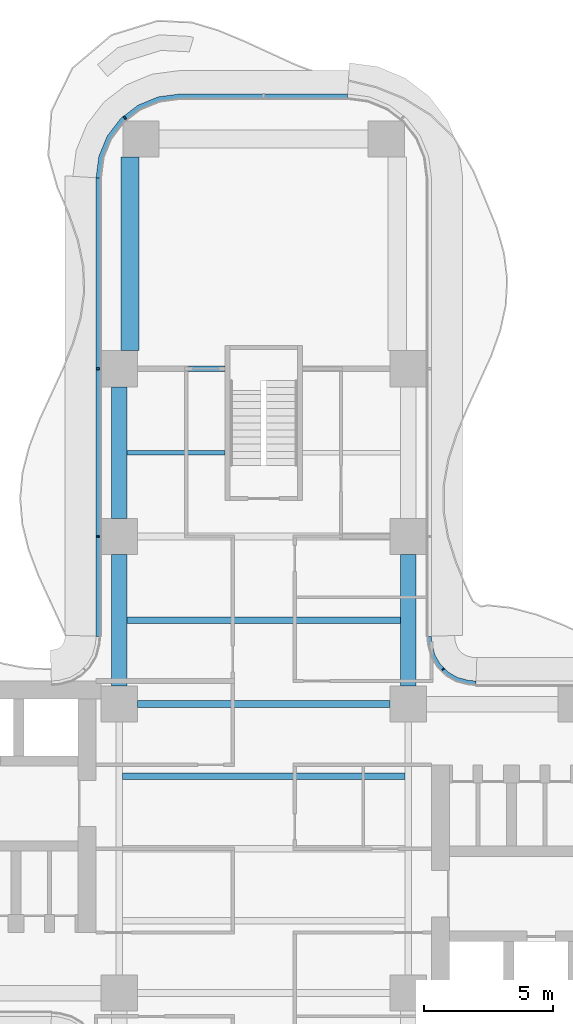
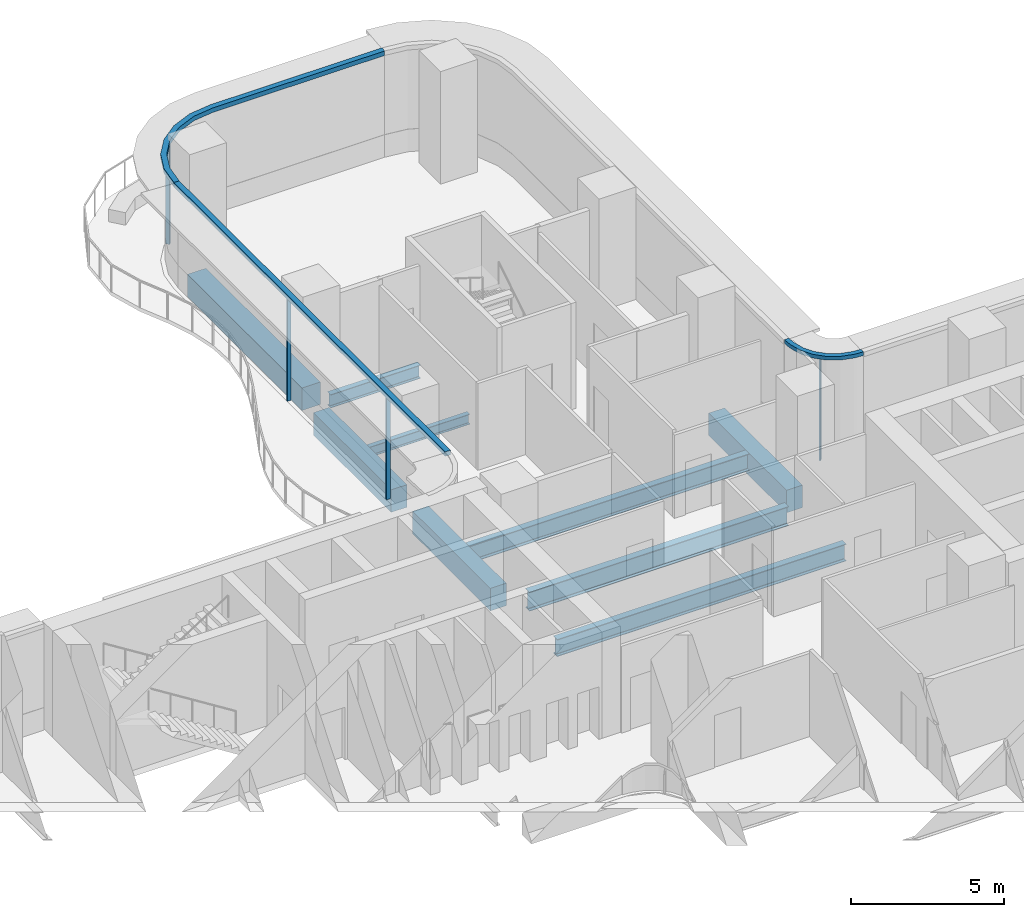
# One storey, part 9 of 22: 9 beams, 7 members, 3 elements without a shape of their own.
"""IFC4 building model written with IfcOpenShell, lengths in metres."""

from ifc_helpers import new_model, si_unit, direction, frame, origin, origin_2d, place, context, subcontext, project, spatial, polyline, rectangle, i_section, outline, extrude, source, transform, mapped, material, layer, layer_set, material_profile, profile_set, type_object, element, aggregate, save


model = new_model("IFC4")

# Units and contexts
model_context = context("Model", 3, precision=1e-05, world=origin(), true_north=direction((0.0, 1.0)))
body_context = subcontext(model_context, "Body", "Model", "MODEL_VIEW")
ifc_project = project(units=[si_unit("LENGTHUNIT", "METRE"), si_unit("AREAUNIT", "SQUARE_METRE"), si_unit("VOLUMEUNIT", "CUBIC_METRE"), si_unit("PLANEANGLEUNIT", "RADIAN"), si_unit("MASSUNIT", "GRAM", prefix="KILO")], contexts=[model_context])

# Site, building, storey
site_placement = place(None, origin())
site = spatial("IfcSite", under=ifc_project, at=site_placement, CompositionType="ELEMENT")
building_placement = place(site_placement, origin())
building = spatial("IfcBuilding", under=site, at=building_placement, Name="Trellis Farm Tower", CompositionType="ELEMENT")
storey_placement = place(building_placement, frame((0.0, 0.0, 52.0)))
storey = spatial("IfcBuildingStorey", under=building, at=storey_placement, Name="L10", CompositionType="ELEMENT", Elevation=52.0)

# Beams
ifc_material_1 = material(Name="Steel S355", Category="steel")
ifc_material_profile_1 = material_profile(ifc_material_1, i_section(OverallWidth=0.253662109375, OverallDepth=0.68359375, WebThickness=0.012451171875, FlangeThickness=0.021728515625, FilletRadius=0.01513671875, at=origin_2d()), Name="UB 686x254x140")
ifc_profile_set_1 = profile_set([ifc_material_profile_1], Name="Steel S355")
beam_type_1 = type_object("IfcBeamType", Name="UB 686x254x140 joist", PredefinedType="JOIST", material=ifc_profile_set_1)
shared_shape_1 = source(origin(), body_context, "Body", "SweptSolid", [
    extrude(i_section(OverallWidth=0.253662109375, OverallDepth=0.68359375, WebThickness=0.012451171875, FlangeThickness=0.021728515625, FilletRadius=0.01513671875, at=origin_2d()), origin(), (0.0, 0.0, 1.0), 10.93310546875),
])
beam_1_placement = place(storey_placement, frame((-5.466552734375, 2.800048828125, -0.591796875), z_axis=(1.0, 0.0, 0.0), x_axis=(0.0, 1.0, 0.0)))
element("IfcBeam", 1, at=beam_1_placement, inside=storey, type_object=beam_type_1, Name="Floor beam", PredefinedType="JOIST", context=body_context, shape_type="MappedRepresentation", body=[
    mapped(shared_shape_1, transform((0.0, 0.0, 0.0))),
])
ifc_material_profile_2 = material_profile(ifc_material_1, i_section(OverallWidth=0.209228515625, OverallDepth=0.533203125, WebThickness=0.010009765625, FlangeThickness=0.015625, FilletRadius=0.0126953125, at=origin_2d()), Name="UB 533x210x92")
ifc_profile_set_2 = profile_set([ifc_material_profile_2], Name="Steel S355")
beam_type_2 = type_object("IfcBeamType", Name="UB 533x210x92", PredefinedType="BEAM", material=ifc_profile_set_2)
shared_shape_2 = source(origin(), body_context, "Body", "SweptSolid", [
    extrude(i_section(OverallWidth=0.209228515625, OverallDepth=0.533203125, WebThickness=0.010009765625, FlangeThickness=0.015625, FilletRadius=0.0126953125, at=origin_2d()), origin(), (0.0, 0.0, 1.0), 3.39990234375),
])
beam_2_placement = place(storey_placement, frame((-4.89990234375, 18.60009765625, -0.5166015625), z_axis=(1.0, 0.0, 0.0), x_axis=(0.0, 1.0, 0.0)))
element("IfcBeam", 2, at=beam_2_placement, inside=storey, type_object=beam_type_2, Name="Girder", PredefinedType="BEAM", context=body_context, shape_type="MappedRepresentation", body=[
    mapped(shared_shape_2, transform((0.0, 0.0, 0.0))),
])
ifc_material_2 = material(Name="Concrete C60/75", Category="concrete")
ifc_material_profile_3 = material_profile(ifc_material_2, rectangle(XDim=0.60009765625, YDim=0.89990234375, at=origin_2d()), Name="RC spandrel beam 600x900 C60/75")
ifc_profile_set_3 = profile_set([ifc_material_profile_3], Name="Concrete C60/75")
beam_type_3 = type_object("IfcBeamType", Name="RC spandrel beam 600x900 C60/75", PredefinedType="SPANDREL", material=ifc_profile_set_3)
shared_shape_3 = source(origin(), body_context, "Body", "SweptSolid", [
    extrude(rectangle(XDim=0.60009765625, YDim=0.89990234375, at=origin_2d()), origin(), (0.0, 0.0, 1.0), 5.099853515625),
])
for number, where, z_axis, x_axis, name in (
    (3, (-5.60009765625, 6.300048828125, -0.699951171875), (0.0, 1.0, 0.0), (-1.0, 0.0, 0.0), "Girder"),
    (4, (-5.60009765625, 12.800048828125, -0.699951171875), (0.0, 1.0, 0.0), (-1.0, 0.0, 0.0), "Girder"),
    (5, (5.60009765625, 6.300048828125, -0.699951171875), (0.0, 1.0, 0.0), (-1.0, 0.0, 0.0), "Girder"),
):
    element("IfcBeam", number, at=place(storey_placement, frame(where, z_axis=z_axis, x_axis=x_axis)), inside=storey, type_object=beam_type_3, Name=name, PredefinedType="SPANDREL", context=body_context, shape_type="MappedRepresentation", body=[
        mapped(shared_shape_3, transform((0.0, 0.0, 0.0))),
    ])
ifc_material_profile_4 = material_profile(ifc_material_1, i_section(OverallWidth=0.2666015625, OverallDepth=0.76220703125, WebThickness=0.014404296875, FlangeThickness=0.021484375, FilletRadius=0.0166015625, at=origin_2d()), Name="UB 762x267x173")
ifc_profile_set_4 = profile_set([ifc_material_profile_4], Name="Steel S355")
beam_type_4 = type_object("IfcBeamType", Name="UB 762x267x173", PredefinedType="BEAM", material=ifc_profile_set_4)
shared_shape_4 = source(origin(), body_context, "Body", "SweptSolid", [
    extrude(i_section(OverallWidth=0.2666015625, OverallDepth=0.76220703125, WebThickness=0.014404296875, FlangeThickness=0.021484375, FilletRadius=0.0166015625, at=origin_2d()), origin(), (0.0, 0.0, 1.0), 9.7998046875),
])
beam_3_placement = place(storey_placement, frame((-4.89990234375, 5.60009765625, -0.631103515625), z_axis=(1.0, 0.0, 0.0), x_axis=(0.0, 1.0, 0.0)))
element("IfcBeam", 6, at=beam_3_placement, inside=storey, type_object=beam_type_4, Name="Girder", PredefinedType="BEAM", context=body_context, shape_type="MappedRepresentation", body=[
    mapped(shared_shape_4, transform((0.0, 0.0, 0.0))),
])
ifc_material_profile_5 = material_profile(ifc_material_2, rectangle(XDim=0.699951171875, YDim=0.89990234375, at=origin_2d()), Name="RC spandrel beam 700x900 C60/75")
ifc_profile_set_5 = profile_set([ifc_material_profile_5], Name="Concrete C60/75")
beam_type_5 = type_object("IfcBeamType", Name="RC spandrel beam 700x900 C60/75", PredefinedType="SPANDREL", material=ifc_profile_set_5)
shared_shape_5 = source(origin(), body_context, "Body", "SweptSolid", [
    extrude(rectangle(XDim=0.699951171875, YDim=0.89990234375, at=origin_2d()), origin(), (0.0, 0.0, 1.0), 7.5),
])
beam_4_placement = place(storey_placement, frame((-5.175048828125, 19.300048828125, -0.699951171875), z_axis=(0.0, 1.0, 0.0), x_axis=(-1.0, 0.0, 0.0)))
element("IfcBeam", 7, at=beam_4_placement, inside=storey, type_object=beam_type_5, Name="Girder", PredefinedType="SPANDREL", context=body_context, shape_type="MappedRepresentation", body=[
    mapped(shared_shape_5, transform((0.0, 0.0, 0.0))),
])
ifc_material_profile_6 = material_profile(ifc_material_1, i_section(OverallWidth=0.177978515625, OverallDepth=0.406494140625, WebThickness=0.0078125, FlangeThickness=0.0126953125, FilletRadius=0.01025390625, at=origin_2d()), Name="UB 406x178x60")
ifc_profile_set_6 = profile_set([ifc_material_profile_6], Name="Steel S355")
beam_type_6 = type_object("IfcBeamType", Name="UB 406x178x60 joist", PredefinedType="JOIST", material=ifc_profile_set_6)
shared_shape_6 = source(origin(), body_context, "Body", "SweptSolid", [
    extrude(i_section(OverallWidth=0.177978515625, OverallDepth=0.406494140625, WebThickness=0.0078125, FlangeThickness=0.0126953125, FilletRadius=0.01025390625, at=origin_2d()), origin(), (0.0, 0.0, 1.0), 3.800048828125),
])
beam_5_placement = place(storey_placement, frame((-5.300048828125, 15.35009765625, -0.453125), z_axis=(1.0, 0.0, 0.0), x_axis=(0.0, 1.0, 0.0)))
element("IfcBeam", 8, at=beam_5_placement, inside=storey, type_object=beam_type_6, Name="Floor beam", PredefinedType="JOIST", context=body_context, shape_type="MappedRepresentation", body=[
    mapped(shared_shape_6, transform((0.0, 0.0, 0.0))),
])
shared_shape_7 = source(origin(), body_context, "Body", "SweptSolid", [
    extrude(i_section(OverallWidth=0.253662109375, OverallDepth=0.68359375, WebThickness=0.012451171875, FlangeThickness=0.021728515625, FilletRadius=0.01513671875, at=origin_2d()), origin(), (0.0, 0.0, 1.0), 10.60009765625),
])
beam_6_placement = place(storey_placement, frame((-5.300048828125, 8.85009765625, -0.591796875), z_axis=(1.0, 0.0, 0.0), x_axis=(0.0, 1.0, 0.0)))
element("IfcBeam", 9, at=beam_6_placement, inside=storey, type_object=beam_type_1, Name="Floor beam", PredefinedType="JOIST", context=body_context, shape_type="MappedRepresentation", body=[
    mapped(shared_shape_7, transform((0.0, 0.0, 0.0))),
])

# Curtain wall, member
ifc_material_3 = material(Name="Aluminium and glass curtain wall", Category="aluminium")
ifc_layer_1 = layer(ifc_material_3, 0.18994140625)
ifc_layer_set_1 = layer_set([ifc_layer_1], Name="RIBBON CURTAIN WALL CW1")
curtain_wall_type_1 = type_object("IfcCurtainWallType", Name="RIBBON CURTAIN WALL CW1", PredefinedType="NOTDEFINED", material=ifc_layer_set_1)
placement_1 = place(storey_placement, origin())
curtain_wall_1 = element("IfcCurtainWall", 10, at=placement_1, inside=storey, type_object=curtain_wall_type_1, Name="CW1 010", PredefinedType="NOTDEFINED")
ifc_material_4 = material(Name="Aluminium extrusion 6063-T6", Category="aluminium")
ifc_material_profile_7 = material_profile(ifc_material_4, rectangle(XDim=0.06005859375, YDim=0.14990234375, at=origin_2d()), Name="MULLION 60x150")
ifc_profile_set_7 = profile_set([ifc_material_profile_7], Name="Aluminium extrusion 6063-T6")
member_type_1 = type_object("IfcMemberType", Name="CW1 MULLION 60x150", PredefinedType="MULLION", material=ifc_profile_set_7)
shared_shape_8 = source(origin(), body_context, "Body", "SweptSolid", [
    extrude(rectangle(XDim=0.06005859375, YDim=0.14990234375, at=origin_2d()), origin(), (0.0, 0.0, 1.0), 4.070068359375),
])
member_1_placement = place(storey_placement, frame((-5.385498046875, 28.328369140625, 0.0), z_axis=(0.0, 0.0, 1.0), x_axis=(-0.793353340291, -0.608761429009, 0.0)))
member_1 = element("IfcMember", 11, at=member_1_placement, type_object=member_type_1, Name="MU1 010-02", PredefinedType="MULLION", context=body_context, shape_type="MappedRepresentation", body=[
    mapped(shared_shape_8, transform((0.0, 0.0, 0.0))),
])

# Curtain wall, members
curtain_wall_2 = element("IfcCurtainWall", 12, at=placement_1, inside=storey, type_object=curtain_wall_type_1, Name="CW1 011", PredefinedType="NOTDEFINED")
member_2_placement = place(storey_placement, frame((-6.425048828125, 18.60009765625, 0.0), z_axis=(0.0, 0.0, 1.0), x_axis=(0.0, -1.0, 0.0)))
member_2 = element("IfcMember", 13, at=member_2_placement, type_object=member_type_1, Name="MU1 011-01", PredefinedType="MULLION", context=body_context, shape_type="MappedRepresentation", body=[
    mapped(shared_shape_8, transform((0.0, 0.0, 0.0))),
])
member_3_placement = place(storey_placement, frame((-6.425048828125, 12.10009765625, 0.0), z_axis=(0.0, 0.0, 1.0), x_axis=(0.0, -1.0, 0.0)))
member_3 = element("IfcMember", 14, at=member_3_placement, type_object=member_type_1, Name="MU1 011-02", PredefinedType="MULLION", context=body_context, shape_type="MappedRepresentation", body=[
    mapped(shared_shape_8, transform((0.0, 0.0, 0.0))),
])

ifc_layer_2 = layer(ifc_material_3, 0.166015625)
ifc_layer_set_2 = layer_set([ifc_layer_2], Name="WINTER GARDEN CURTAIN WALL CW3")
curtain_wall_type_2 = type_object("IfcCurtainWallType", Name="WINTER GARDEN CURTAIN WALL CW3", PredefinedType="NOTDEFINED", material=ifc_layer_set_2)
curtain_wall_3 = element("IfcCurtainWall", 15, at=placement_1, inside=storey, type_object=curtain_wall_type_2, Name="CW3 003", PredefinedType="NOTDEFINED")
ifc_material_profile_8 = material_profile(ifc_material_4, rectangle(XDim=0.050048828125, YDim=0.1201171875, at=origin_2d()), Name="MULLION 50x120")
ifc_profile_set_8 = profile_set([ifc_material_profile_8], Name="Aluminium extrusion 6063-T6")
member_type_2 = type_object("IfcMemberType", Name="CW3 MULLION 50x120", PredefinedType="MULLION", material=ifc_profile_set_8)
shared_shape_9 = source(origin(), body_context, "Body", "SweptSolid", [
    extrude(rectangle(XDim=0.050048828125, YDim=0.1201171875, at=origin_2d()), origin(), (0.0, 0.0, 1.0), 4.10009765625),
])
member_4_placement = place(storey_placement, frame((6.953125, 6.953125, 0.0), z_axis=(0.0, 0.0, 1.0), x_axis=(-0.707106781187, 0.707106781187, 0.0)))
member_4 = element("IfcMember", 16, at=member_4_placement, type_object=member_type_2, Name="MU3 003-01", PredefinedType="MULLION", context=body_context, shape_type="MappedRepresentation", body=[
    mapped(shared_shape_9, transform((0.0, 0.0, 0.0))),
])
ifc_layer_3 = layer(ifc_material_4, 0.169921875)
ifc_layer_set_3 = layer_set([ifc_layer_3], Name="Aluminium extrusion 6063-T6")
member_type_3 = type_object("IfcMemberType", Name="CW3 TRANSOM 170x150", PredefinedType="USERDEFINED", material=ifc_layer_set_3)
shared_shape_10 = source(origin(), body_context, "Body", "SweptSolid", [
    extrude(outline(polyline([(8.2314453125, 6.5), (8.01953125, 6.513916015625), (7.91552734375, 6.527587890625), (7.508544921875, 6.63671875), (7.144287109375, 6.846923828125), (6.846923828125, 7.144287109375), (6.63671875, 7.508544921875), (6.527587890625, 7.91552734375), (6.513916015625, 8.01953125), (6.5, 8.2314453125), (6.330078125, 8.225830078125), (6.3447265625, 8.0029296875), (6.360595703125, 7.88232421875), (6.478271484375, 7.44287109375), (6.7109375, 7.0400390625), (7.0400390625, 6.7109375), (7.44287109375, 6.478271484375), (7.88232421875, 6.360595703125), (8.0029296875, 6.3447265625), (8.225830078125, 6.330078125), (8.2314453125, 6.5)])), origin(), (0.0, 0.0, 1.0), 0.14990234375),
])
member_5_placement = place(storey_placement, frame((0.0, 0.0, 4.10009765625)))
member_5 = element("IfcMember", 17, at=member_5_placement, type_object=member_type_3, Name="TR3 003", ObjectType="TRANSOM", PredefinedType="USERDEFINED", context=body_context, shape_type="MappedRepresentation", body=[
    mapped(shared_shape_10, transform((0.0, 0.0, 0.0))),
])
aggregate(curtain_wall_3, [member_4, member_5])

# Member
ifc_layer_4 = layer(ifc_material_4, 0.199951171875)
ifc_layer_set_4 = layer_set([ifc_layer_4], Name="Aluminium extrusion 6063-T6")
member_type_4 = type_object("IfcMemberType", Name="CW1 TRANSOM 200x180", PredefinedType="USERDEFINED", material=ifc_layer_set_4)
shared_shape_11 = source(origin(), body_context, "Body", "SweptSolid", [
    extrude(outline(polyline([(3.25, 29.25), (-3.25, 29.25), (-4.091064453125, 29.13916015625), (-4.875, 28.814697265625), (-5.548095703125, 28.298095703125), (-6.064697265625, 27.625), (-6.38916015625, 26.841064453125), (-6.5, 26.0), (-6.300048828125, 25.98681640625), (-6.1943359375, 26.7890625), (-5.889892578125, 27.524169921875), (-5.405517578125, 28.155517578125), (-4.774169921875, 28.639892578125), (-4.0390625, 28.9443359375), (-3.23681640625, 29.050048828125), (3.23681640625, 29.050048828125), (3.25, 29.25)])), origin(), (0.0, 0.0, 1.0), 0.179931640625),
])
placement_2 = place(storey_placement, frame((0.0, 0.0, 4.070068359375)))
member_6 = element("IfcMember", 18, at=placement_2, type_object=member_type_4, Name="TR1 010", ObjectType="TRANSOM", PredefinedType="USERDEFINED", context=body_context, shape_type="MappedRepresentation", body=[
    mapped(shared_shape_11, transform((0.0, 0.0, 0.0))),
])

aggregate(curtain_wall_1, [member_1, member_6])

shared_shape_12 = source(origin(), body_context, "Body", "SweptSolid", [
    extrude(outline(polyline([(-6.5, 26.0), (-6.5, 8.2314453125), (-6.300048828125, 8.224853515625), (-6.300048828125, 25.98681640625), (-6.5, 26.0)])), origin(), (0.0, 0.0, 1.0), 0.179931640625),
])
member_7 = element("IfcMember", 19, at=placement_2, type_object=member_type_4, Name="TR1 011", ObjectType="TRANSOM", PredefinedType="USERDEFINED", context=body_context, shape_type="MappedRepresentation", body=[
    mapped(shared_shape_12, transform((0.0, 0.0, 0.0))),
])

aggregate(curtain_wall_2, [member_2, member_3, member_7])

save(model, "model.ifc")
